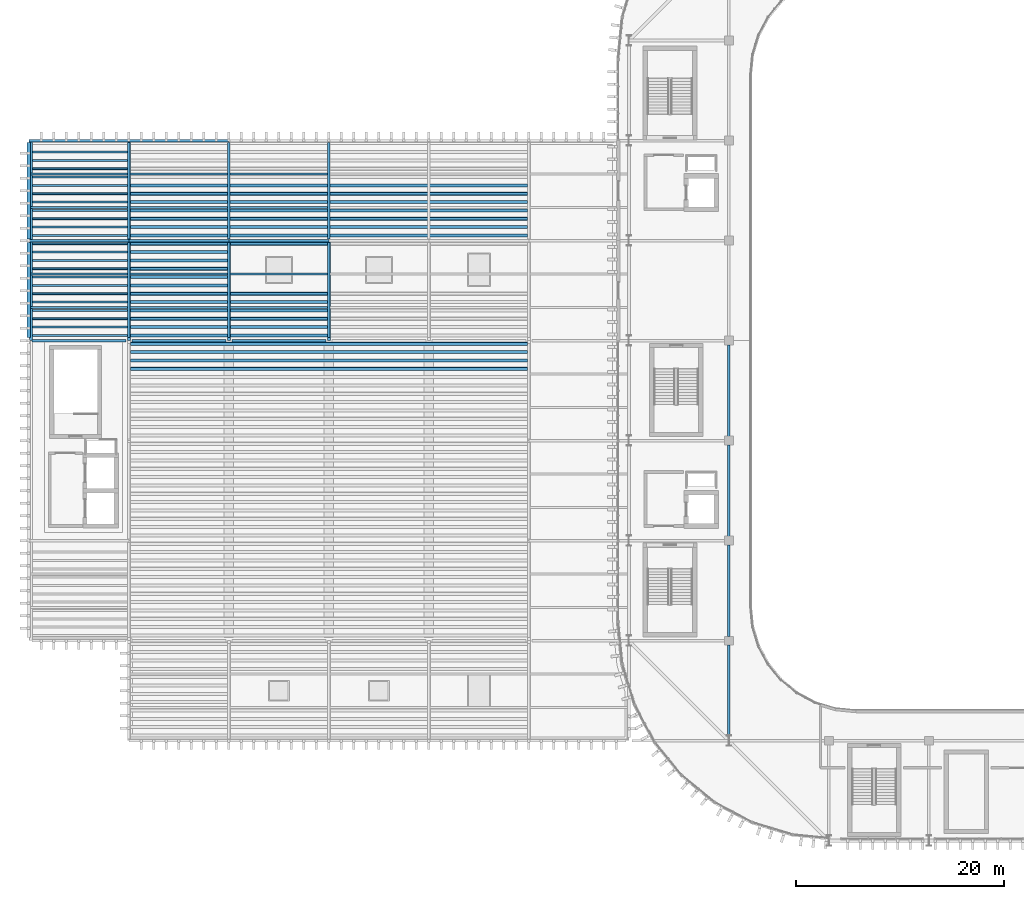
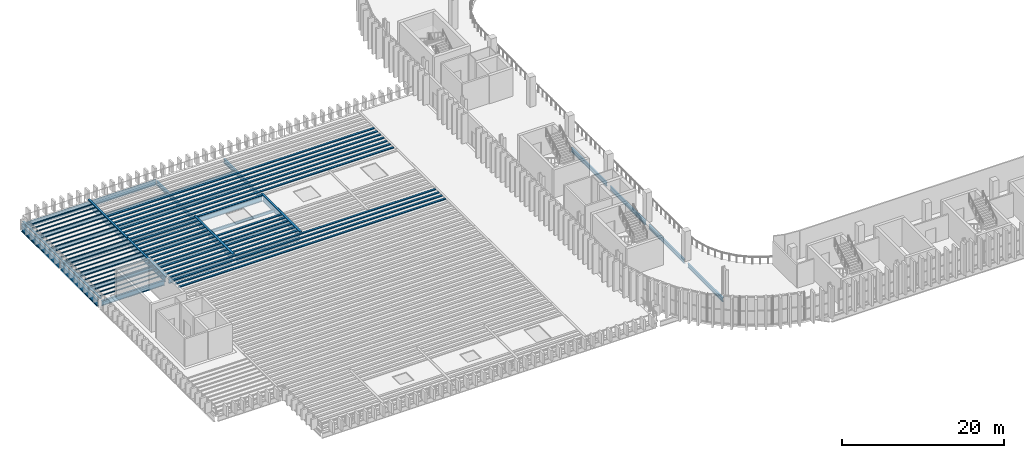
# One storey, part 14 of 92: 59 members, 32 beams.
"""IFC4 building model written with IfcOpenShell, lengths in metres."""

from ifc_helpers import new_model, si_unit, direction, frame, origin, origin_2d, place, context, subcontext, project, spatial, hollow_rectangle, i_section, extrude, material, material_profile, profile_set, type_object, element, save


model = new_model("IFC4")

# Units and contexts
model_context = context("Model", 3, precision=1e-05, world=origin(), true_north=direction((0.0, 1.0)))
body_context = subcontext(model_context, "Body", "Model", "MODEL_VIEW")
ifc_project = project(units=[si_unit("LENGTHUNIT", "METRE"), si_unit("AREAUNIT", "SQUARE_METRE"), si_unit("VOLUMEUNIT", "CUBIC_METRE"), si_unit("PLANEANGLEUNIT", "RADIAN"), si_unit("MASSUNIT", "GRAM", prefix="KILO")], contexts=[model_context])

# Site, building, storey
site_placement = place(None, origin())
site = spatial("IfcSite", under=ifc_project, at=site_placement, CompositionType="ELEMENT")
building_placement = place(site_placement, origin())
building = spatial("IfcBuilding", under=site, at=building_placement, Name="Caelomonte Colonnade Arena", CompositionType="ELEMENT")
storey_placement = place(building_placement, frame((0.0, 0.0, 9.60009765625)))
storey = spatial("IfcBuildingStorey", under=building, at=storey_placement, Name="L02", CompositionType="ELEMENT", Elevation=9.60009765625)

# Beams
ifc_material_1 = material(Name="Wide-flange steel ASTM A992 Grade 50", Category="steel")
ifc_material_profile_1 = material_profile(ifc_material_1, i_section(OverallWidth=0.307861328125, OverallDepth=0.927001953125, WebThickness=0.019287109375, FlangeThickness=0.031982421875, FilletRadius=0.020263671875, at=origin_2d()), Name="W36X194")
ifc_profile_set_1 = profile_set([ifc_material_profile_1], Name="Wide-flange steel ASTM A992 Grade 50")
beam_type_1 = type_object("IfcBeamType", Name="STR-BM-EAVES2", PredefinedType="SPANDREL", material=ifc_profile_set_1)
beam_1_placement = place(storey_placement, frame((0.0, 67.491943359375, -0.74365234375), z_axis=(0.0, 1.0, 0.0), x_axis=(-1.0, 0.0, 0.0)))
element("IfcBeam", 1, at=beam_1_placement, inside=storey, type_object=beam_type_1, Name="L02 girder BMY-L02-0000-0672", PredefinedType="SPANDREL", context=body_context, shape_type="SweptSolid", body=[
    extrude(i_section(OverallWidth=0.307861328125, OverallDepth=0.927001953125, WebThickness=0.019287109375, FlangeThickness=0.031982421875, FilletRadius=0.020263671875, at=origin_2d()), origin(), (0.0, 0.0, 1.0), 9.137939453125),
])
beam_2_placement = place(storey_placement, frame((0.0, 76.97021484375, -0.74365234375), z_axis=(0.0, 1.0, 0.0), x_axis=(-1.0, 0.0, 0.0)))
element("IfcBeam", 2, at=beam_2_placement, inside=storey, type_object=beam_type_1, Name="L02 girder BMY-L02-0000-0768", PredefinedType="SPANDREL", context=body_context, shape_type="SweptSolid", body=[
    extrude(i_section(OverallWidth=0.307861328125, OverallDepth=0.927001953125, WebThickness=0.019287109375, FlangeThickness=0.031982421875, FilletRadius=0.020263671875, at=origin_2d()), origin(), (0.0, 0.0, 1.0), 9.259765625),
])
ifc_material_profile_2 = material_profile(ifc_material_1, i_section(OverallWidth=0.228271484375, OverallDepth=0.607177734375, WebThickness=0.01123046875, FlangeThickness=0.017333984375, FilletRadius=0.0126953125, at=origin_2d()), Name="W24X76")
ifc_profile_set_2 = profile_set([ifc_material_profile_2], Name="Wide-flange steel ASTM A992 Grade 50")
beam_type_2 = type_object("IfcBeamType", Name="STR-BM-GIRD24", PredefinedType="BEAM", material=ifc_profile_set_2)
beam_3_placement = place(storey_placement, frame((9.60009765625, 67.491943359375, -0.58349609375), z_axis=(0.0, 1.0, 0.0), x_axis=(-1.0, 0.0, 0.0)))
element("IfcBeam", 3, at=beam_3_placement, inside=storey, type_object=beam_type_2, Name="L02 girder BMY-L02-0096-0672", PredefinedType="BEAM", context=body_context, shape_type="SweptSolid", body=[
    extrude(i_section(OverallWidth=0.228271484375, OverallDepth=0.607177734375, WebThickness=0.01123046875, FlangeThickness=0.017333984375, FilletRadius=0.0126953125, at=origin_2d()), origin(), (0.0, 0.0, 1.0), 9.137939453125),
])
beam_4_placement = place(storey_placement, frame((9.60009765625, 76.97021484375, -0.58349609375), z_axis=(0.0, 1.0, 0.0), x_axis=(-1.0, 0.0, 0.0)))
element("IfcBeam", 4, at=beam_4_placement, inside=storey, type_object=beam_type_2, Name="L02 girder BMY-L02-0096-0768", PredefinedType="BEAM", context=body_context, shape_type="SweptSolid", body=[
    extrude(i_section(OverallWidth=0.228271484375, OverallDepth=0.607177734375, WebThickness=0.01123046875, FlangeThickness=0.017333984375, FilletRadius=0.0126953125, at=origin_2d()), origin(), (0.0, 0.0, 1.0), 9.259765625),
])
beam_5_placement = place(storey_placement, frame((19.199951171875, 67.491943359375, -0.58349609375), z_axis=(0.0, 1.0, 0.0), x_axis=(-1.0, 0.0, 0.0)))
element("IfcBeam", 5, at=beam_5_placement, inside=storey, type_object=beam_type_2, Name="L02 girder BMY-L02-0192-0672", PredefinedType="BEAM", context=body_context, shape_type="SweptSolid", body=[
    extrude(i_section(OverallWidth=0.228271484375, OverallDepth=0.607177734375, WebThickness=0.01123046875, FlangeThickness=0.017333984375, FilletRadius=0.0126953125, at=origin_2d()), origin(), (0.0, 0.0, 1.0), 9.137939453125),
])
beam_6_placement = place(storey_placement, frame((19.199951171875, 76.97021484375, -0.58349609375), z_axis=(0.0, 1.0, 0.0), x_axis=(-1.0, 0.0, 0.0)))
element("IfcBeam", 6, at=beam_6_placement, inside=storey, type_object=beam_type_2, Name="L02 girder BMY-L02-0192-0768", PredefinedType="BEAM", context=body_context, shape_type="SweptSolid", body=[
    extrude(i_section(OverallWidth=0.228271484375, OverallDepth=0.607177734375, WebThickness=0.01123046875, FlangeThickness=0.017333984375, FilletRadius=0.0126953125, at=origin_2d()), origin(), (0.0, 0.0, 1.0), 9.259765625),
])
beam_7_placement = place(storey_placement, frame((28.800048828125, 67.491943359375, -0.58349609375), z_axis=(0.0, 1.0, 0.0), x_axis=(-1.0, 0.0, 0.0)))
element("IfcBeam", 7, at=beam_7_placement, inside=storey, type_object=beam_type_2, Name="L02 girder BMY-L02-0288-0672", PredefinedType="BEAM", context=body_context, shape_type="SweptSolid", body=[
    extrude(i_section(OverallWidth=0.228271484375, OverallDepth=0.607177734375, WebThickness=0.01123046875, FlangeThickness=0.017333984375, FilletRadius=0.0126953125, at=origin_2d()), origin(), (0.0, 0.0, 1.0), 9.137939453125),
])
beam_8_placement = place(storey_placement, frame((28.800048828125, 76.97021484375, -0.58349609375), z_axis=(0.0, 1.0, 0.0), x_axis=(-1.0, 0.0, 0.0)))
element("IfcBeam", 8, at=beam_8_placement, inside=storey, type_object=beam_type_2, Name="L02 girder BMY-L02-0288-0768", PredefinedType="BEAM", context=body_context, shape_type="SweptSolid", body=[
    extrude(i_section(OverallWidth=0.228271484375, OverallDepth=0.607177734375, WebThickness=0.01123046875, FlangeThickness=0.017333984375, FilletRadius=0.0126953125, at=origin_2d()), origin(), (0.0, 0.0, 1.0), 9.259765625),
])
beam_9_placement = place(storey_placement, frame((67.199951171875, 29.297607421875, -0.58349609375), z_axis=(0.0, 1.0, 0.0), x_axis=(-1.0, 0.0, 0.0)))
element("IfcBeam", 9, at=beam_9_placement, inside=storey, type_object=beam_type_2, Name="L02 girder BMY-L02-0672-0288", PredefinedType="BEAM", context=body_context, shape_type="SweptSolid", body=[
    extrude(i_section(OverallWidth=0.228271484375, OverallDepth=0.607177734375, WebThickness=0.01123046875, FlangeThickness=0.017333984375, FilletRadius=0.0126953125, at=origin_2d()), origin(), (0.0, 0.0, 1.0), 8.685302734375),
])
for number, where, z_axis, x_axis, name in (
    (10, (67.199951171875, 38.81689453125, -0.58349609375), (0.0, 1.0, 0.0), (-1.0, 0.0, 0.0), "L02 girder BMY-L02-0672-0384"),
    (11, (67.199951171875, 48.4169921875, -0.58349609375), (0.0, 1.0, 0.0), (-1.0, 0.0, 0.0), "L02 girder BMY-L02-0672-0480"),
):
    element("IfcBeam", number, at=place(storey_placement, frame(where, z_axis=z_axis, x_axis=x_axis)), inside=storey, type_object=beam_type_2, Name=name, PredefinedType="BEAM", context=body_context, shape_type="SweptSolid", body=[
        extrude(i_section(OverallWidth=0.228271484375, OverallDepth=0.607177734375, WebThickness=0.01123046875, FlangeThickness=0.017333984375, FilletRadius=0.0126953125, at=origin_2d()), origin(), (0.0, 0.0, 1.0), 8.76611328125),
    ])
beam_10_placement = place(storey_placement, frame((67.199951171875, 58.01708984375, -0.58349609375), z_axis=(0.0, 1.0, 0.0), x_axis=(-1.0, 0.0, 0.0)))
element("IfcBeam", 12, at=beam_10_placement, inside=storey, type_object=beam_type_2, Name="L02 girder BMY-L02-0672-0576", PredefinedType="BEAM", context=body_context, shape_type="SweptSolid", body=[
    extrude(i_section(OverallWidth=0.228271484375, OverallDepth=0.607177734375, WebThickness=0.01123046875, FlangeThickness=0.017333984375, FilletRadius=0.0126953125, at=origin_2d()), origin(), (0.0, 0.0, 1.0), 8.765869140625),
])
ifc_material_profile_3 = material_profile(ifc_material_1, i_section(OverallWidth=0.2666015625, OverallDepth=0.761962890625, WebThickness=0.014404296875, FlangeThickness=0.021484375, FilletRadius=0.0166015625, at=origin_2d()), Name="W30X116")
ifc_profile_set_3 = profile_set([ifc_material_profile_3], Name="Wide-flange steel ASTM A992 Grade 50")
beam_type_3 = type_object("IfcBeamType", Name="STR-BM-GIRD30", PredefinedType="BEAM", material=ifc_profile_set_3)
beam_11_placement = place(storey_placement, frame((0.2919921875, 67.199951171875, -0.6611328125), z_axis=(1.0, 0.0, 0.0), x_axis=(0.0, 1.0, 0.0)))
element("IfcBeam", 13, at=beam_11_placement, inside=storey, type_object=beam_type_3, Name="L02 girder BMX-L02-0000-0672", PredefinedType="BEAM", context=body_context, shape_type="SweptSolid", body=[
    extrude(i_section(OverallWidth=0.2666015625, OverallDepth=0.761962890625, WebThickness=0.014404296875, FlangeThickness=0.021484375, FilletRadius=0.0166015625, at=origin_2d()), origin(), (0.0, 0.0, 1.0), 9.01611328125),
])
beam_12_placement = place(storey_placement, frame((9.89208984375, 67.199951171875, -0.6611328125), z_axis=(1.0, 0.0, 0.0), x_axis=(0.0, 1.0, 0.0)))
element("IfcBeam", 14, at=beam_12_placement, inside=storey, type_object=beam_type_3, Name="L02 girder BMX-L02-0096-0672", PredefinedType="BEAM", context=body_context, shape_type="SweptSolid", body=[
    extrude(i_section(OverallWidth=0.2666015625, OverallDepth=0.761962890625, WebThickness=0.014404296875, FlangeThickness=0.021484375, FilletRadius=0.0166015625, at=origin_2d()), origin(), (0.0, 0.0, 1.0), 9.015869140625),
])
beam_13_placement = place(storey_placement, frame((19.491943359375, 67.199951171875, -0.6611328125), z_axis=(1.0, 0.0, 0.0), x_axis=(0.0, 1.0, 0.0)))
element("IfcBeam", 15, at=beam_13_placement, inside=storey, type_object=beam_type_3, Name="L02 girder BMX-L02-0192-0672", PredefinedType="BEAM", context=body_context, shape_type="SweptSolid", body=[
    extrude(i_section(OverallWidth=0.2666015625, OverallDepth=0.761962890625, WebThickness=0.014404296875, FlangeThickness=0.021484375, FilletRadius=0.0166015625, at=origin_2d()), origin(), (0.0, 0.0, 1.0), 9.01611328125),
])
beam_14_placement = place(storey_placement, frame((0.005615234375, 76.800048828125, -0.6611328125), z_axis=(1.0, 0.0, 0.0), x_axis=(0.0, 1.0, 0.0)))
element("IfcBeam", 16, at=beam_14_placement, inside=storey, type_object=beam_type_3, Name="L02 girder BMX-L02-0000-0768", PredefinedType="BEAM", context=body_context, shape_type="SweptSolid", body=[
    extrude(i_section(OverallWidth=0.2666015625, OverallDepth=0.761962890625, WebThickness=0.014404296875, FlangeThickness=0.021484375, FilletRadius=0.0166015625, at=origin_2d()), origin(), (0.0, 0.0, 1.0), 9.5888671875),
])
beam_15_placement = place(storey_placement, frame((9.605712890625, 76.800048828125, -0.6611328125), z_axis=(1.0, 0.0, 0.0), x_axis=(0.0, 1.0, 0.0)))
element("IfcBeam", 17, at=beam_15_placement, inside=storey, type_object=beam_type_3, Name="L02 girder BMX-L02-0096-0768", PredefinedType="BEAM", context=body_context, shape_type="SweptSolid", body=[
    extrude(i_section(OverallWidth=0.2666015625, OverallDepth=0.761962890625, WebThickness=0.014404296875, FlangeThickness=0.021484375, FilletRadius=0.0166015625, at=origin_2d()), origin(), (0.0, 0.0, 1.0), 9.588623046875),
])
for number, where, z_axis, x_axis, name in (
    (18, (19.20556640625, 76.800048828125, -0.6611328125), (1.0, 0.0, 0.0), (0.0, 1.0, 0.0), "L02 girder BMX-L02-0192-0768"),
    (19, (0.005615234375, 86.39990234375, -0.6611328125), (1.0, 0.0, 0.0), (0.0, 1.0, 0.0), "L02 girder BMX-L02-0000-0864"),
):
    element("IfcBeam", number, at=place(storey_placement, frame(where, z_axis=z_axis, x_axis=x_axis)), inside=storey, type_object=beam_type_3, Name=name, PredefinedType="BEAM", context=body_context, shape_type="SweptSolid", body=[
        extrude(i_section(OverallWidth=0.2666015625, OverallDepth=0.761962890625, WebThickness=0.014404296875, FlangeThickness=0.021484375, FilletRadius=0.0166015625, at=origin_2d()), origin(), (0.0, 0.0, 1.0), 9.5888671875),
    ])
beam_16_placement = place(storey_placement, frame((9.605712890625, 86.39990234375, -0.6611328125), z_axis=(1.0, 0.0, 0.0), x_axis=(0.0, 1.0, 0.0)))
element("IfcBeam", 20, at=beam_16_placement, inside=storey, type_object=beam_type_3, Name="L02 girder BMX-L02-0096-0864", PredefinedType="BEAM", context=body_context, shape_type="SweptSolid", body=[
    extrude(i_section(OverallWidth=0.2666015625, OverallDepth=0.761962890625, WebThickness=0.014404296875, FlangeThickness=0.021484375, FilletRadius=0.0166015625, at=origin_2d()), origin(), (0.0, 0.0, 1.0), 9.588623046875),
])
ifc_material_profile_4 = material_profile(ifc_material_1, i_section(OverallWidth=0.1904296875, OverallDepth=0.457275390625, WebThickness=0.009033203125, FlangeThickness=0.014404296875, FilletRadius=0.01025390625, at=origin_2d()), Name="W18X50")
ifc_profile_set_4 = profile_set([ifc_material_profile_4], Name="Wide-flange steel ASTM A992 Grade 50")
beam_type_4 = type_object("IfcBeamType", Name="STR-BM-JOIST18", PredefinedType="JOIST", material=ifc_profile_set_4)
for number, where, z_axis, x_axis, name in (
    (21, (0.14892578125, 70.39990234375, -0.5087890625), (1.0, 0.0, 0.0), (0.0, 1.0, 0.0), "L02 secondary joist 1"),
    (22, (0.14892578125, 73.60009765625, -0.5087890625), (1.0, 0.0, 0.0), (0.0, 1.0, 0.0), "L02 secondary joist 2"),
    (23, (0.14892578125, 80.0, -0.5087890625), (1.0, 0.0, 0.0), (0.0, 1.0, 0.0), "L02 secondary joist 1"),
    (24, (0.14892578125, 83.199951171875, -0.5087890625), (1.0, 0.0, 0.0), (0.0, 1.0, 0.0), "L02 secondary joist 2"),
):
    element("IfcBeam", number, at=place(storey_placement, frame(where, z_axis=z_axis, x_axis=x_axis)), inside=storey, type_object=beam_type_4, Name=name, PredefinedType="JOIST", context=body_context, shape_type="SweptSolid", body=[
        extrude(i_section(OverallWidth=0.1904296875, OverallDepth=0.457275390625, WebThickness=0.009033203125, FlangeThickness=0.014404296875, FilletRadius=0.01025390625, at=origin_2d()), origin(), (0.0, 0.0, 1.0), 9.342041015625),
    ])
for number, where, z_axis, x_axis, name in (
    (25, (9.708984375, 70.39990234375, -0.5087890625), (1.0, 0.0, 0.0), (0.0, 1.0, 0.0), "L02 secondary joist 1"),
    (26, (9.708984375, 73.60009765625, -0.5087890625), (1.0, 0.0, 0.0), (0.0, 1.0, 0.0), "L02 secondary joist 2"),
    (27, (9.708984375, 80.0, -0.5087890625), (1.0, 0.0, 0.0), (0.0, 1.0, 0.0), "L02 secondary joist 1"),
    (28, (9.708984375, 83.199951171875, -0.5087890625), (1.0, 0.0, 0.0), (0.0, 1.0, 0.0), "L02 secondary joist 2"),
    (29, (19.30908203125, 70.39990234375, -0.5087890625), (1.0, 0.0, 0.0), (0.0, 1.0, 0.0), "L02 secondary joist 1"),
    (30, (19.30908203125, 73.60009765625, -0.5087890625), (1.0, 0.0, 0.0), (0.0, 1.0, 0.0), "L02 secondary joist 2"),
    (31, (19.30908203125, 80.0, -0.5087890625), (1.0, 0.0, 0.0), (0.0, 1.0, 0.0), "L02 secondary joist 1"),
    (32, (19.30908203125, 83.199951171875, -0.5087890625), (1.0, 0.0, 0.0), (0.0, 1.0, 0.0), "L02 secondary joist 2"),
):
    element("IfcBeam", number, at=place(storey_placement, frame(where, z_axis=z_axis, x_axis=x_axis)), inside=storey, type_object=beam_type_4, Name=name, PredefinedType="JOIST", context=body_context, shape_type="SweptSolid", body=[
        extrude(i_section(OverallWidth=0.1904296875, OverallDepth=0.457275390625, WebThickness=0.009033203125, FlangeThickness=0.014404296875, FilletRadius=0.01025390625, at=origin_2d()), origin(), (0.0, 0.0, 1.0), 9.3818359375),
    ])

# Members
ifc_material_2 = material(Name="Steel ASTM A500 Grade C", Category="steel")
ifc_material_profile_5 = material_profile(ifc_material_2, hollow_rectangle(XDim=0.300048828125, YDim=0.14990234375, WallThickness=0.008056640625, InnerFilletRadius=0.008056640625, OuterFilletRadius=0.01611328125, at=origin_2d()), Name="HSS300X150X8")
ifc_profile_set_5 = profile_set([ifc_material_profile_5], Name="Steel ASTM A500 Grade C")
member_type_1 = type_object("IfcMemberType", Name="STR-LW-PAR1", PredefinedType="STRUT", material=ifc_profile_set_5)
member_1_placement = place(storey_placement, frame((0.219970703125, 67.2041015625, 0.074951171875), z_axis=(0.0, 1.0, 0.0), x_axis=(-1.0, 0.0, 0.0)))
element("IfcMember", 33, at=member_1_placement, inside=storey, type_object=member_type_1, Name="Planted lawn parterre planter header HDR-W2", PredefinedType="STRUT", context=body_context, shape_type="SweptSolid", body=[
    extrude(hollow_rectangle(XDim=0.300048828125, YDim=0.14990234375, WallThickness=0.008056640625, InnerFilletRadius=0.008056640625, OuterFilletRadius=0.01611328125, at=origin_2d()), origin(), (0.0, 0.0, 1.0), 9.591796875),
])
member_2_placement = place(storey_placement, frame((0.219970703125, 76.803955078125, 0.074951171875), z_axis=(0.0, 1.0, 0.0), x_axis=(-1.0, 0.0, 0.0)))
element("IfcMember", 34, at=member_2_placement, inside=storey, type_object=member_type_1, Name="Planted lawn parterre planter header HDR-W3", PredefinedType="STRUT", context=body_context, shape_type="SweptSolid", body=[
    extrude(hollow_rectangle(XDim=0.300048828125, YDim=0.14990234375, WallThickness=0.008056640625, InnerFilletRadius=0.008056640625, OuterFilletRadius=0.01611328125, at=origin_2d()), origin(), (0.0, 0.0, 1.0), 9.592041015625),
])
member_3_placement = place(storey_placement, frame((9.60009765625, 67.2041015625, 0.074951171875), z_axis=(0.0, 1.0, 0.0), x_axis=(-1.0, 0.0, 0.0)))
element("IfcMember", 35, at=member_3_placement, inside=storey, type_object=member_type_1, Name="Planted lawn parterre planter header HDR-C5", PredefinedType="STRUT", context=body_context, shape_type="SweptSolid", body=[
    extrude(hollow_rectangle(XDim=0.300048828125, YDim=0.14990234375, WallThickness=0.008056640625, InnerFilletRadius=0.008056640625, OuterFilletRadius=0.01611328125, at=origin_2d()), origin(), (0.0, 0.0, 1.0), 9.591796875),
])
member_4_placement = place(storey_placement, frame((9.60009765625, 76.803955078125, 0.074951171875), z_axis=(0.0, 1.0, 0.0), x_axis=(-1.0, 0.0, 0.0)))
element("IfcMember", 36, at=member_4_placement, inside=storey, type_object=member_type_1, Name="Planted lawn parterre planter header HDR-C6", PredefinedType="STRUT", context=body_context, shape_type="SweptSolid", body=[
    extrude(hollow_rectangle(XDim=0.300048828125, YDim=0.14990234375, WallThickness=0.008056640625, InnerFilletRadius=0.008056640625, OuterFilletRadius=0.01611328125, at=origin_2d()), origin(), (0.0, 0.0, 1.0), 9.592041015625),
])
for number, where, z_axis, x_axis, name in (
    (37, (19.199951171875, 67.2041015625, 0.074951171875), (0.0, 1.0, 0.0), (-1.0, 0.0, 0.0), "Planted lawn parterre planter header HDR-N1"),
    (38, (28.800048828125, 67.2041015625, 0.074951171875), (0.0, 1.0, 0.0), (-1.0, 0.0, 0.0), "Planted lawn parterre planter header HDR-N2"),
):
    element("IfcMember", number, at=place(storey_placement, frame(where, z_axis=z_axis, x_axis=x_axis)), inside=storey, type_object=member_type_1, Name=name, PredefinedType="STRUT", context=body_context, shape_type="SweptSolid", body=[
        extrude(hollow_rectangle(XDim=0.300048828125, YDim=0.14990234375, WallThickness=0.008056640625, InnerFilletRadius=0.008056640625, OuterFilletRadius=0.01611328125, at=origin_2d()), origin(), (0.0, 0.0, 1.0), 9.591796875),
    ])
for number, where, z_axis, x_axis, name in (
    (39, (9.74609375, 64.5, 0.074951171875), (1.0, 0.0, 0.0), (0.0, 1.0, 0.0), "Planted lawn parterre planter bar 80"),
    (40, (9.74609375, 65.300048828125, 0.074951171875), (1.0, 0.0, 0.0), (0.0, 1.0, 0.0), "Planted lawn parterre planter bar 81"),
    (41, (9.74609375, 66.10009765625, 0.074951171875), (1.0, 0.0, 0.0), (0.0, 1.0, 0.0), "Planted lawn parterre planter bar 82"),
    (42, (9.74609375, 66.89990234375, 0.074951171875), (1.0, 0.0, 0.0), (0.0, 1.0, 0.0), "Planted lawn parterre planter bar 83"),
):
    element("IfcMember", number, at=place(storey_placement, frame(where, z_axis=z_axis, x_axis=x_axis)), inside=storey, type_object=member_type_1, Name=name, PredefinedType="STRUT", context=body_context, shape_type="SweptSolid", body=[
        extrude(hollow_rectangle(XDim=0.300048828125, YDim=0.14990234375, WallThickness=0.008056640625, InnerFilletRadius=0.008056640625, OuterFilletRadius=0.01611328125, at=origin_2d()), origin(), (0.0, 0.0, 1.0), 38.10791015625),
    ])
member_5_placement = place(storey_placement, frame((9.74609375, 67.699951171875, 0.074951171875), z_axis=(1.0, 0.0, 0.0), x_axis=(0.0, 1.0, 0.0)))
element("IfcMember", 43, at=member_5_placement, inside=storey, type_object=member_type_1, Name="Planted lawn parterre planter bar 85", PredefinedType="STRUT", context=body_context, shape_type="SweptSolid", body=[
    extrude(hollow_rectangle(XDim=0.300048828125, YDim=0.14990234375, WallThickness=0.008056640625, InnerFilletRadius=0.008056640625, OuterFilletRadius=0.01611328125, at=origin_2d()), origin(), (0.0, 0.0, 1.0), 9.307861328125),
])
member_6_placement = place(storey_placement, frame((19.345947265625, 67.699951171875, 0.074951171875), z_axis=(1.0, 0.0, 0.0), x_axis=(0.0, 1.0, 0.0)))
element("IfcMember", 44, at=member_6_placement, inside=storey, type_object=member_type_1, Name="Planted lawn parterre planter bar 86", PredefinedType="STRUT", context=body_context, shape_type="SweptSolid", body=[
    extrude(hollow_rectangle(XDim=0.300048828125, YDim=0.14990234375, WallThickness=0.008056640625, InnerFilletRadius=0.008056640625, OuterFilletRadius=0.01611328125, at=origin_2d()), origin(), (0.0, 0.0, 1.0), 9.30810546875),
])
member_7_placement = place(storey_placement, frame((9.74609375, 68.5, 0.074951171875), z_axis=(1.0, 0.0, 0.0), x_axis=(0.0, 1.0, 0.0)))
element("IfcMember", 45, at=member_7_placement, inside=storey, type_object=member_type_1, Name="Planted lawn parterre planter bar 90", PredefinedType="STRUT", context=body_context, shape_type="SweptSolid", body=[
    extrude(hollow_rectangle(XDim=0.300048828125, YDim=0.14990234375, WallThickness=0.008056640625, InnerFilletRadius=0.008056640625, OuterFilletRadius=0.01611328125, at=origin_2d()), origin(), (0.0, 0.0, 1.0), 9.307861328125),
])
member_8_placement = place(storey_placement, frame((19.345947265625, 68.5, 0.074951171875), z_axis=(1.0, 0.0, 0.0), x_axis=(0.0, 1.0, 0.0)))
element("IfcMember", 46, at=member_8_placement, inside=storey, type_object=member_type_1, Name="Planted lawn parterre planter bar 91", PredefinedType="STRUT", context=body_context, shape_type="SweptSolid", body=[
    extrude(hollow_rectangle(XDim=0.300048828125, YDim=0.14990234375, WallThickness=0.008056640625, InnerFilletRadius=0.008056640625, OuterFilletRadius=0.01611328125, at=origin_2d()), origin(), (0.0, 0.0, 1.0), 9.30810546875),
])
member_9_placement = place(storey_placement, frame((9.74609375, 69.300048828125, 0.074951171875), z_axis=(1.0, 0.0, 0.0), x_axis=(0.0, 1.0, 0.0)))
element("IfcMember", 47, at=member_9_placement, inside=storey, type_object=member_type_1, Name="Planted lawn parterre planter bar 95", PredefinedType="STRUT", context=body_context, shape_type="SweptSolid", body=[
    extrude(hollow_rectangle(XDim=0.300048828125, YDim=0.14990234375, WallThickness=0.008056640625, InnerFilletRadius=0.008056640625, OuterFilletRadius=0.01611328125, at=origin_2d()), origin(), (0.0, 0.0, 1.0), 9.307861328125),
])
member_10_placement = place(storey_placement, frame((19.345947265625, 69.300048828125, 0.074951171875), z_axis=(1.0, 0.0, 0.0), x_axis=(0.0, 1.0, 0.0)))
element("IfcMember", 48, at=member_10_placement, inside=storey, type_object=member_type_1, Name="Planted lawn parterre planter bar 96", PredefinedType="STRUT", context=body_context, shape_type="SweptSolid", body=[
    extrude(hollow_rectangle(XDim=0.300048828125, YDim=0.14990234375, WallThickness=0.008056640625, InnerFilletRadius=0.008056640625, OuterFilletRadius=0.01611328125, at=origin_2d()), origin(), (0.0, 0.0, 1.0), 9.30810546875),
])
member_11_placement = place(storey_placement, frame((9.74609375, 70.10009765625, 0.074951171875), z_axis=(1.0, 0.0, 0.0), x_axis=(0.0, 1.0, 0.0)))
element("IfcMember", 49, at=member_11_placement, inside=storey, type_object=member_type_1, Name="Planted lawn parterre planter bar 100", PredefinedType="STRUT", context=body_context, shape_type="SweptSolid", body=[
    extrude(hollow_rectangle(XDim=0.300048828125, YDim=0.14990234375, WallThickness=0.008056640625, InnerFilletRadius=0.008056640625, OuterFilletRadius=0.01611328125, at=origin_2d()), origin(), (0.0, 0.0, 1.0), 9.307861328125),
])
member_12_placement = place(storey_placement, frame((19.345947265625, 70.10009765625, 0.074951171875), z_axis=(1.0, 0.0, 0.0), x_axis=(0.0, 1.0, 0.0)))
element("IfcMember", 50, at=member_12_placement, inside=storey, type_object=member_type_1, Name="Planted lawn parterre planter bar 101", PredefinedType="STRUT", context=body_context, shape_type="SweptSolid", body=[
    extrude(hollow_rectangle(XDim=0.300048828125, YDim=0.14990234375, WallThickness=0.008056640625, InnerFilletRadius=0.008056640625, OuterFilletRadius=0.01611328125, at=origin_2d()), origin(), (0.0, 0.0, 1.0), 9.30810546875),
])
member_13_placement = place(storey_placement, frame((9.74609375, 70.89990234375, 0.074951171875), z_axis=(1.0, 0.0, 0.0), x_axis=(0.0, 1.0, 0.0)))
element("IfcMember", 51, at=member_13_placement, inside=storey, type_object=member_type_1, Name="Planted lawn parterre planter bar 105", PredefinedType="STRUT", context=body_context, shape_type="SweptSolid", body=[
    extrude(hollow_rectangle(XDim=0.300048828125, YDim=0.14990234375, WallThickness=0.008056640625, InnerFilletRadius=0.008056640625, OuterFilletRadius=0.01611328125, at=origin_2d()), origin(), (0.0, 0.0, 1.0), 9.307861328125),
])
member_14_placement = place(storey_placement, frame((19.345947265625, 70.89990234375, 0.074951171875), z_axis=(1.0, 0.0, 0.0), x_axis=(0.0, 1.0, 0.0)))
element("IfcMember", 52, at=member_14_placement, inside=storey, type_object=member_type_1, Name="Planted lawn parterre planter bar 106", PredefinedType="STRUT", context=body_context, shape_type="SweptSolid", body=[
    extrude(hollow_rectangle(XDim=0.300048828125, YDim=0.14990234375, WallThickness=0.008056640625, InnerFilletRadius=0.008056640625, OuterFilletRadius=0.01611328125, at=origin_2d()), origin(), (0.0, 0.0, 1.0), 9.30810546875),
])
member_15_placement = place(storey_placement, frame((9.74609375, 71.699951171875, 0.074951171875), z_axis=(1.0, 0.0, 0.0), x_axis=(0.0, 1.0, 0.0)))
element("IfcMember", 53, at=member_15_placement, inside=storey, type_object=member_type_1, Name="Planted lawn parterre planter bar 110", PredefinedType="STRUT", context=body_context, shape_type="SweptSolid", body=[
    extrude(hollow_rectangle(XDim=0.300048828125, YDim=0.14990234375, WallThickness=0.008056640625, InnerFilletRadius=0.008056640625, OuterFilletRadius=0.01611328125, at=origin_2d()), origin(), (0.0, 0.0, 1.0), 9.307861328125),
])
member_16_placement = place(storey_placement, frame((19.345947265625, 71.699951171875, 0.074951171875), z_axis=(1.0, 0.0, 0.0), x_axis=(0.0, 1.0, 0.0)))
element("IfcMember", 54, at=member_16_placement, inside=storey, type_object=member_type_1, Name="Planted lawn parterre planter bar 111", PredefinedType="STRUT", context=body_context, shape_type="SweptSolid", body=[
    extrude(hollow_rectangle(XDim=0.300048828125, YDim=0.14990234375, WallThickness=0.008056640625, InnerFilletRadius=0.008056640625, OuterFilletRadius=0.01611328125, at=origin_2d()), origin(), (0.0, 0.0, 1.0), 9.30810546875),
])
for number, where, z_axis, x_axis, name in (
    (55, (9.74609375, 72.5, 0.074951171875), (1.0, 0.0, 0.0), (0.0, 1.0, 0.0), "Planted lawn parterre planter bar 115"),
    (56, (9.74609375, 73.300048828125, 0.074951171875), (1.0, 0.0, 0.0), (0.0, 1.0, 0.0), "Planted lawn parterre planter bar 117"),
    (57, (9.74609375, 74.10009765625, 0.074951171875), (1.0, 0.0, 0.0), (0.0, 1.0, 0.0), "Planted lawn parterre planter bar 119"),
    (58, (9.74609375, 74.89990234375, 0.074951171875), (1.0, 0.0, 0.0), (0.0, 1.0, 0.0), "Planted lawn parterre planter bar 121"),
    (59, (9.74609375, 75.699951171875, 0.074951171875), (1.0, 0.0, 0.0), (0.0, 1.0, 0.0), "Planted lawn parterre planter bar 123"),
    (60, (9.74609375, 76.5, 0.074951171875), (1.0, 0.0, 0.0), (0.0, 1.0, 0.0), "Planted lawn parterre planter bar 125"),
):
    element("IfcMember", number, at=place(storey_placement, frame(where, z_axis=z_axis, x_axis=x_axis)), inside=storey, type_object=member_type_1, Name=name, PredefinedType="STRUT", context=body_context, shape_type="SweptSolid", body=[
        extrude(hollow_rectangle(XDim=0.300048828125, YDim=0.14990234375, WallThickness=0.008056640625, InnerFilletRadius=0.008056640625, OuterFilletRadius=0.01611328125, at=origin_2d()), origin(), (0.0, 0.0, 1.0), 9.307861328125),
    ])
member_17_placement = place(storey_placement, frame((19.345947265625, 76.5, 0.074951171875), z_axis=(1.0, 0.0, 0.0), x_axis=(0.0, 1.0, 0.0)))
element("IfcMember", 61, at=member_17_placement, inside=storey, type_object=member_type_1, Name="Planted lawn parterre planter bar 126", PredefinedType="STRUT", context=body_context, shape_type="SweptSolid", body=[
    extrude(hollow_rectangle(XDim=0.300048828125, YDim=0.14990234375, WallThickness=0.008056640625, InnerFilletRadius=0.008056640625, OuterFilletRadius=0.01611328125, at=origin_2d()), origin(), (0.0, 0.0, 1.0), 9.30810546875),
])
for number, where, z_axis, x_axis, name in (
    (62, (9.74609375, 77.300048828125, 0.074951171875), (1.0, 0.0, 0.0), (0.0, 1.0, 0.0), "Planted lawn parterre planter bar 130"),
    (63, (9.74609375, 78.10009765625, 0.074951171875), (1.0, 0.0, 0.0), (0.0, 1.0, 0.0), "Planted lawn parterre planter bar 132"),
    (64, (9.74609375, 78.89990234375, 0.074951171875), (1.0, 0.0, 0.0), (0.0, 1.0, 0.0), "Planted lawn parterre planter bar 134"),
    (65, (9.74609375, 79.699951171875, 0.074951171875), (1.0, 0.0, 0.0), (0.0, 1.0, 0.0), "Planted lawn parterre planter bar 136"),
    (66, (9.74609375, 80.5, 0.074951171875), (1.0, 0.0, 0.0), (0.0, 1.0, 0.0), "Planted lawn parterre planter bar 138"),
    (67, (9.74609375, 81.300048828125, 0.074951171875), (1.0, 0.0, 0.0), (0.0, 1.0, 0.0), "Planted lawn parterre planter bar 140"),
    (68, (9.74609375, 82.10009765625, 0.074951171875), (1.0, 0.0, 0.0), (0.0, 1.0, 0.0), "Planted lawn parterre planter bar 142"),
):
    element("IfcMember", number, at=place(storey_placement, frame(where, z_axis=z_axis, x_axis=x_axis)), inside=storey, type_object=member_type_1, Name=name, PredefinedType="STRUT", context=body_context, shape_type="SweptSolid", body=[
        extrude(hollow_rectangle(XDim=0.300048828125, YDim=0.14990234375, WallThickness=0.008056640625, InnerFilletRadius=0.008056640625, OuterFilletRadius=0.01611328125, at=origin_2d()), origin(), (0.0, 0.0, 1.0), 38.10791015625),
    ])
ifc_material_profile_6 = material_profile(ifc_material_2, hollow_rectangle(XDim=0.199951171875, YDim=0.10009765625, WallThickness=0.008056640625, InnerFilletRadius=0.008056640625, OuterFilletRadius=0.01611328125, at=origin_2d()), Name="HSS200X100X8")
ifc_profile_set_6 = profile_set([ifc_material_profile_6], Name="Steel ASTM A500 Grade C")
member_type_2 = type_object("IfcMemberType", Name="STR-LW-PAR2", PredefinedType="STRUT", material=ifc_profile_set_6)
for number, where, z_axis, x_axis, name in (
    (69, (0.365966796875, 67.699951171875, 0.074951171875), (1.0, 0.0, 0.0), (0.0, 1.0, 0.0), "Planted lawn parterre planter bar 84"),
    (70, (0.365966796875, 68.5, 0.074951171875), (1.0, 0.0, 0.0), (0.0, 1.0, 0.0), "Planted lawn parterre planter bar 89"),
    (71, (0.365966796875, 69.300048828125, 0.074951171875), (1.0, 0.0, 0.0), (0.0, 1.0, 0.0), "Planted lawn parterre planter bar 94"),
    (72, (0.365966796875, 70.10009765625, 0.074951171875), (1.0, 0.0, 0.0), (0.0, 1.0, 0.0), "Planted lawn parterre planter bar 99"),
    (73, (0.365966796875, 70.89990234375, 0.074951171875), (1.0, 0.0, 0.0), (0.0, 1.0, 0.0), "Planted lawn parterre planter bar 104"),
    (74, (0.365966796875, 71.699951171875, 0.074951171875), (1.0, 0.0, 0.0), (0.0, 1.0, 0.0), "Planted lawn parterre planter bar 109"),
    (75, (0.365966796875, 72.5, 0.074951171875), (1.0, 0.0, 0.0), (0.0, 1.0, 0.0), "Planted lawn parterre planter bar 114"),
    (76, (0.365966796875, 73.300048828125, 0.074951171875), (1.0, 0.0, 0.0), (0.0, 1.0, 0.0), "Planted lawn parterre planter bar 116"),
    (77, (0.365966796875, 74.10009765625, 0.074951171875), (1.0, 0.0, 0.0), (0.0, 1.0, 0.0), "Planted lawn parterre planter bar 118"),
    (78, (0.365966796875, 74.89990234375, 0.074951171875), (1.0, 0.0, 0.0), (0.0, 1.0, 0.0), "Planted lawn parterre planter bar 120"),
    (79, (0.365966796875, 75.699951171875, 0.074951171875), (1.0, 0.0, 0.0), (0.0, 1.0, 0.0), "Planted lawn parterre planter bar 122"),
    (80, (0.365966796875, 76.5, 0.074951171875), (1.0, 0.0, 0.0), (0.0, 1.0, 0.0), "Planted lawn parterre planter bar 124"),
    (81, (0.365966796875, 77.300048828125, 0.074951171875), (1.0, 0.0, 0.0), (0.0, 1.0, 0.0), "Planted lawn parterre planter bar 129"),
    (82, (0.365966796875, 78.10009765625, 0.074951171875), (1.0, 0.0, 0.0), (0.0, 1.0, 0.0), "Planted lawn parterre planter bar 131"),
    (83, (0.365966796875, 78.89990234375, 0.074951171875), (1.0, 0.0, 0.0), (0.0, 1.0, 0.0), "Planted lawn parterre planter bar 133"),
    (84, (0.365966796875, 79.699951171875, 0.074951171875), (1.0, 0.0, 0.0), (0.0, 1.0, 0.0), "Planted lawn parterre planter bar 135"),
    (85, (0.365966796875, 80.5, 0.074951171875), (1.0, 0.0, 0.0), (0.0, 1.0, 0.0), "Planted lawn parterre planter bar 137"),
    (86, (0.365966796875, 81.300048828125, 0.074951171875), (1.0, 0.0, 0.0), (0.0, 1.0, 0.0), "Planted lawn parterre planter bar 139"),
    (87, (0.365966796875, 82.10009765625, 0.074951171875), (1.0, 0.0, 0.0), (0.0, 1.0, 0.0), "Planted lawn parterre planter bar 141"),
    (88, (0.365966796875, 82.89990234375, 0.074951171875), (1.0, 0.0, 0.0), (0.0, 1.0, 0.0), "Planted lawn parterre planter bar 143"),
    (89, (0.365966796875, 83.699951171875, 0.074951171875), (1.0, 0.0, 0.0), (0.0, 1.0, 0.0), "Planted lawn parterre planter bar 145"),
    (90, (0.365966796875, 84.5, 0.074951171875), (1.0, 0.0, 0.0), (0.0, 1.0, 0.0), "Planted lawn parterre planter bar 147"),
    (91, (0.365966796875, 85.300048828125, 0.074951171875), (1.0, 0.0, 0.0), (0.0, 1.0, 0.0), "Planted lawn parterre planter bar 149"),
):
    element("IfcMember", number, at=place(storey_placement, frame(where, z_axis=z_axis, x_axis=x_axis)), inside=storey, type_object=member_type_2, Name=name, PredefinedType="STRUT", context=body_context, shape_type="SweptSolid", body=[
        extrude(hollow_rectangle(XDim=0.199951171875, YDim=0.10009765625, WallThickness=0.008056640625, InnerFilletRadius=0.008056640625, OuterFilletRadius=0.01611328125, at=origin_2d()), origin(), (0.0, 0.0, 1.0), 9.088134765625),
    ])

save(model, "model.ifc")
